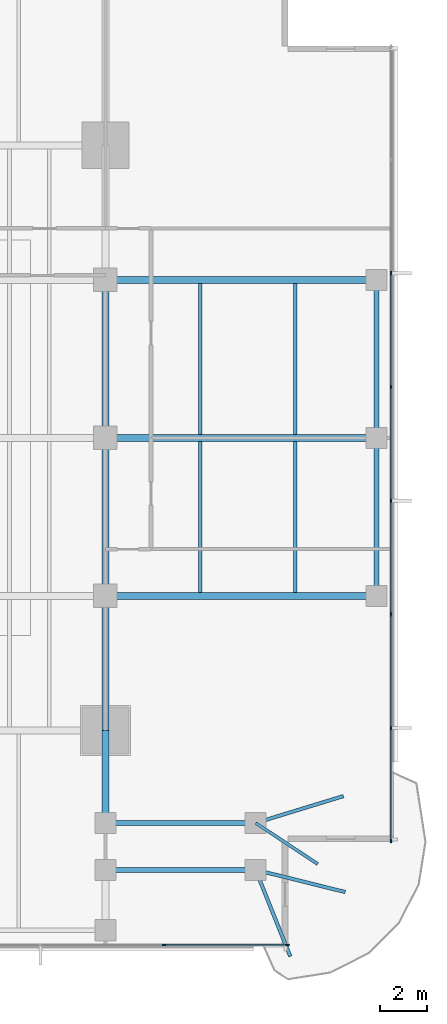
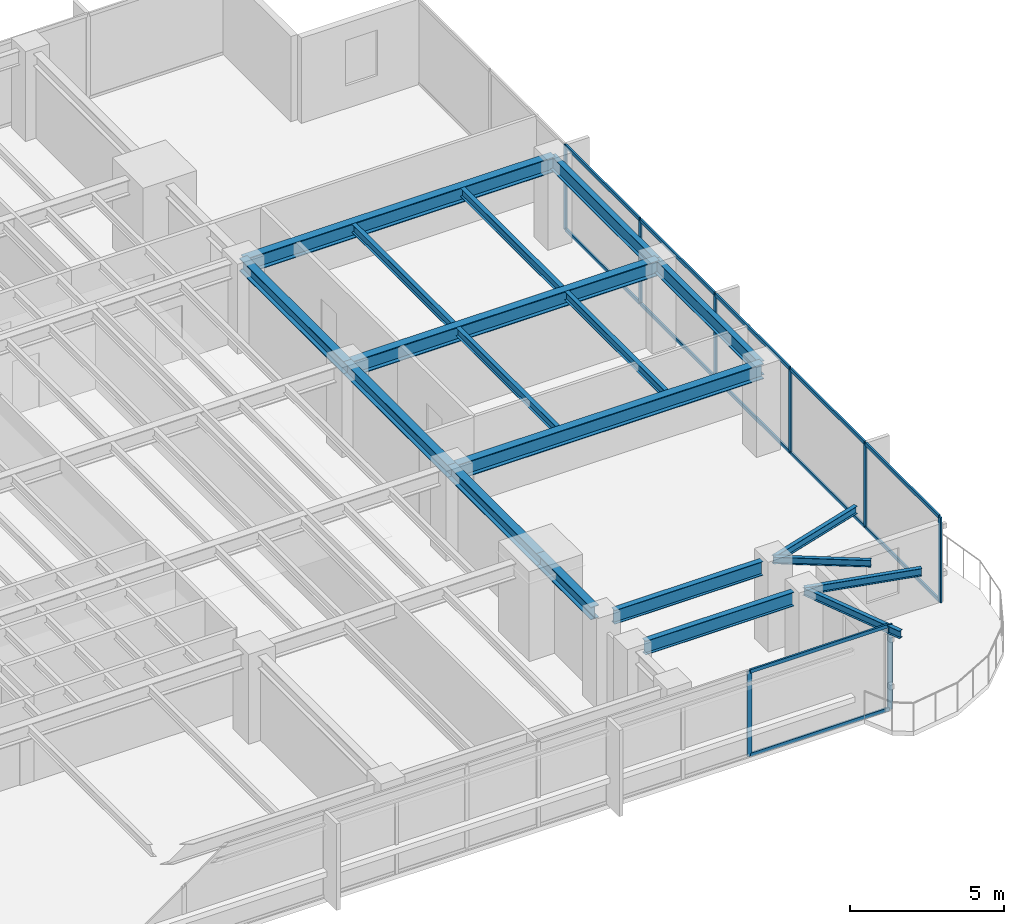
# One storey, part 4 of 14: 20 members, 19 beams, 2 elements without a shape of their own.
"""IFC4 building model written with IfcOpenShell, lengths in metres."""

from ifc_helpers import new_model, si_unit, direction, frame, origin, origin_2d, place, context, subcontext, project, spatial, rectangle, i_section, extrude, material, layer, layer_set, material_profile, profile_set, type_object, element, aggregate, save


model = new_model("IFC4")

# Units and contexts
model_context = context("Model", 3, precision=1e-05, world=origin(), true_north=direction((0.0, 1.0)))
body_context = subcontext(model_context, "Body", "Model", "MODEL_VIEW")
ifc_project = project(units=[si_unit("LENGTHUNIT", "METRE"), si_unit("AREAUNIT", "SQUARE_METRE"), si_unit("VOLUMEUNIT", "CUBIC_METRE"), si_unit("PLANEANGLEUNIT", "RADIAN"), si_unit("MASSUNIT", "GRAM", prefix="KILO")], contexts=[model_context])

# Site, building, storey
site_placement = place(None, origin())
site = spatial("IfcSite", under=ifc_project, at=site_placement, CompositionType="ELEMENT")
building_placement = place(site_placement, origin())
building = spatial("IfcBuilding", under=site, at=building_placement, Name="Kinhvarn Gate Tower", CompositionType="ELEMENT")
storey_placement = place(building_placement, frame((0.0, 0.0, 116.449951171875)))
storey = spatial("IfcBuildingStorey", under=building, at=storey_placement, Name="L30", CompositionType="ELEMENT", Elevation=116.449951171875)

# Curtain wall, members
ifc_material_1 = material(Name="Anodised aluminium AW-6063", Category="aluminium")
ifc_layer = layer(ifc_material_1, 0.179931640625)
ifc_layer_set = layer_set([ifc_layer], Name="Anodised aluminium AW-6063")
curtain_wall_type = type_object("IfcCurtainWallType", Name="CW-SYS-3", PredefinedType="NOTDEFINED", material=ifc_layer_set)
curtain_wall_1_placement = place(storey_placement, origin())
curtain_wall_1 = element("IfcCurtainWall", 1, at=curtain_wall_1_placement, inside=storey, type_object=curtain_wall_type, Name="Curtain Wall CW3 (L30)", PredefinedType="NOTDEFINED")
ifc_material_profile_1 = material_profile(ifc_material_1, rectangle(XDim=0.06494140625, YDim=0.159912109375, at=origin_2d()), Name="ALU 65x160")
ifc_profile_set_1 = profile_set([ifc_material_profile_1], Name="Anodised aluminium AW-6063")
member_type_1 = type_object("IfcMemberType", Name="CW-MUL-160", PredefinedType="MULLION", material=ifc_profile_set_1)
member_1_placement = place(storey_placement, frame((40.71435546875, 3.590087890625, 0.0), z_axis=(0.0, 0.0, 1.0), x_axis=(0.0, 1.0, 0.0)))
member_1 = element("IfcMember", 2, at=member_1_placement, type_object=member_type_1, Name="CW3 mullion 7", PredefinedType="MULLION", context=body_context, shape_type="SweptSolid", body=[
    extrude(rectangle(XDim=0.06494140625, YDim=0.159912109375, at=origin_2d()), origin(), (0.0, 0.0, 1.0), 3.3701171875),
])
member_2_placement = place(storey_placement, frame((45.967529296875, 3.590087890625, 0.0), z_axis=(0.0, 0.0, 1.0), x_axis=(0.0, 1.0, 0.0)))
member_2 = element("IfcMember", 3, at=member_2_placement, type_object=member_type_1, Name="CW3 mullion 8", PredefinedType="MULLION", context=body_context, shape_type="SweptSolid", body=[
    extrude(rectangle(XDim=0.06494140625, YDim=0.159912109375, at=origin_2d()), origin(), (0.0, 0.0, 1.0), 3.3701171875),
])

curtain_wall_2_placement = place(storey_placement, origin())
curtain_wall_2 = element("IfcCurtainWall", 4, at=curtain_wall_2_placement, inside=storey, type_object=curtain_wall_type, Name="Curtain Wall CW3 (L30)", PredefinedType="NOTDEFINED")
member_3_placement = place(storey_placement, frame((50.409912109375, 8.032470703125, 0.0), z_axis=(0.0, 0.0, 1.0), x_axis=(-1.0, 0.0, 0.0)))
member_3 = element("IfcMember", 5, at=member_3_placement, type_object=member_type_1, Name="CW3 mullion 1", PredefinedType="MULLION", context=body_context, shape_type="SweptSolid", body=[
    extrude(rectangle(XDim=0.06494140625, YDim=0.159912109375, at=origin_2d()), origin(), (0.0, 0.0, 1.0), 3.3701171875),
])
member_4_placement = place(storey_placement, frame((50.409912109375, 12.857177734375, 0.0), z_axis=(0.0, 0.0, 1.0), x_axis=(-1.0, 0.0, 0.0)))
member_4 = element("IfcMember", 6, at=member_4_placement, type_object=member_type_1, Name="CW3 mullion 2", PredefinedType="MULLION", context=body_context, shape_type="SweptSolid", body=[
    extrude(rectangle(XDim=0.06494140625, YDim=0.159912109375, at=origin_2d()), origin(), (0.0, 0.0, 1.0), 3.3701171875),
])
member_5_placement = place(storey_placement, frame((50.409912109375, 17.71435546875, 0.0), z_axis=(0.0, 0.0, 1.0), x_axis=(-1.0, 0.0, 0.0)))
member_5 = element("IfcMember", 7, at=member_5_placement, type_object=member_type_1, Name="CW3 mullion 3", PredefinedType="MULLION", context=body_context, shape_type="SweptSolid", body=[
    extrude(rectangle(XDim=0.06494140625, YDim=0.159912109375, at=origin_2d()), origin(), (0.0, 0.0, 1.0), 3.3701171875),
])
member_6_placement = place(storey_placement, frame((50.409912109375, 22.571533203125, 0.0), z_axis=(0.0, 0.0, 1.0), x_axis=(-1.0, 0.0, 0.0)))
member_6 = element("IfcMember", 8, at=member_6_placement, type_object=member_type_1, Name="CW3 mullion 4", PredefinedType="MULLION", context=body_context, shape_type="SweptSolid", body=[
    extrude(rectangle(XDim=0.06494140625, YDim=0.159912109375, at=origin_2d()), origin(), (0.0, 0.0, 1.0), 3.3701171875),
])
member_7_placement = place(storey_placement, frame((50.409912109375, 27.428466796875, 0.0), z_axis=(0.0, 0.0, 1.0), x_axis=(-1.0, 0.0, 0.0)))
member_7 = element("IfcMember", 9, at=member_7_placement, type_object=member_type_1, Name="CW3 mullion 5", PredefinedType="MULLION", context=body_context, shape_type="SweptSolid", body=[
    extrude(rectangle(XDim=0.06494140625, YDim=0.159912109375, at=origin_2d()), origin(), (0.0, 0.0, 1.0), 3.3701171875),
])
member_8_placement = place(storey_placement, frame((50.409912109375, 32.28564453125, 0.0), z_axis=(0.0, 0.0, 1.0), x_axis=(-1.0, 0.0, 0.0)))
member_8 = element("IfcMember", 10, at=member_8_placement, type_object=member_type_1, Name="CW3 mullion 6", PredefinedType="MULLION", context=body_context, shape_type="SweptSolid", body=[
    extrude(rectangle(XDim=0.06494140625, YDim=0.159912109375, at=origin_2d()), origin(), (0.0, 0.0, 1.0), 3.3701171875),
])

# Member
ifc_material_profile_2 = material_profile(ifc_material_1, rectangle(XDim=0.070068359375, YDim=0.139892578125, at=origin_2d()), Name="ALU 70x140")
ifc_profile_set_2 = profile_set([ifc_material_profile_2], Name="Anodised aluminium AW-6063")
member_type_2 = type_object("IfcMemberType", Name="CW-TRN-140", PredefinedType="USERDEFINED", material=ifc_profile_set_2)
member_9_placement = place(storey_placement, frame((40.746826171875, 3.590087890625, 0.03515625), z_axis=(1.0, 0.0, 0.0), x_axis=(0.0, 1.0, 0.0)))
member_9 = element("IfcMember", 11, at=member_9_placement, type_object=member_type_2, Name="CW3 transom 7.1", ObjectType="TRANSOM", PredefinedType="USERDEFINED", context=body_context, shape_type="SweptSolid", body=[
    extrude(rectangle(XDim=0.070068359375, YDim=0.139892578125, at=origin_2d()), origin(), (0.0, 0.0, 1.0), 5.188232421875),
])

member_10_placement = place(storey_placement, frame((40.746826171875, 3.590087890625, 3.3349609375), z_axis=(1.0, 0.0, 0.0), x_axis=(0.0, 1.0, 0.0)))
member_10 = element("IfcMember", 12, at=member_10_placement, type_object=member_type_2, Name="CW3 transom 7.2", ObjectType="TRANSOM", PredefinedType="USERDEFINED", context=body_context, shape_type="SweptSolid", body=[
    extrude(rectangle(XDim=0.070068359375, YDim=0.139892578125, at=origin_2d()), origin(), (0.0, 0.0, 1.0), 5.188232421875),
])

aggregate(curtain_wall_1, [member_1, member_2, member_9, member_10])

member_11_placement = place(storey_placement, frame((50.409912109375, 8.06494140625, 0.03515625), z_axis=(0.0, 1.0, 0.0), x_axis=(-1.0, 0.0, 0.0)))
member_11 = element("IfcMember", 13, at=member_11_placement, type_object=member_type_2, Name="CW3 transom 1.1", ObjectType="TRANSOM", PredefinedType="USERDEFINED", context=body_context, shape_type="SweptSolid", body=[
    extrude(rectangle(XDim=0.070068359375, YDim=0.139892578125, at=origin_2d()), origin(), (0.0, 0.0, 1.0), 4.759765625),
])

member_12_placement = place(storey_placement, frame((50.409912109375, 8.06494140625, 3.3349609375), z_axis=(0.0, 1.0, 0.0), x_axis=(-1.0, 0.0, 0.0)))
member_12 = element("IfcMember", 14, at=member_12_placement, type_object=member_type_2, Name="CW3 transom 1.2", ObjectType="TRANSOM", PredefinedType="USERDEFINED", context=body_context, shape_type="SweptSolid", body=[
    extrude(rectangle(XDim=0.070068359375, YDim=0.139892578125, at=origin_2d()), origin(), (0.0, 0.0, 1.0), 4.759765625),
])

member_13_placement = place(storey_placement, frame((50.409912109375, 12.8896484375, 0.03515625), z_axis=(0.0, 1.0, 0.0), x_axis=(-1.0, 0.0, 0.0)))
member_13 = element("IfcMember", 15, at=member_13_placement, type_object=member_type_2, Name="CW3 transom 2.1", ObjectType="TRANSOM", PredefinedType="USERDEFINED", context=body_context, shape_type="SweptSolid", body=[
    extrude(rectangle(XDim=0.070068359375, YDim=0.139892578125, at=origin_2d()), origin(), (0.0, 0.0, 1.0), 4.792236328125),
])

member_14_placement = place(storey_placement, frame((50.409912109375, 12.8896484375, 3.3349609375), z_axis=(0.0, 1.0, 0.0), x_axis=(-1.0, 0.0, 0.0)))
member_14 = element("IfcMember", 16, at=member_14_placement, type_object=member_type_2, Name="CW3 transom 2.2", ObjectType="TRANSOM", PredefinedType="USERDEFINED", context=body_context, shape_type="SweptSolid", body=[
    extrude(rectangle(XDim=0.070068359375, YDim=0.139892578125, at=origin_2d()), origin(), (0.0, 0.0, 1.0), 4.792236328125),
])

member_15_placement = place(storey_placement, frame((50.409912109375, 17.746826171875, 0.03515625), z_axis=(0.0, 1.0, 0.0), x_axis=(-1.0, 0.0, 0.0)))
member_15 = element("IfcMember", 17, at=member_15_placement, type_object=member_type_2, Name="CW3 transom 3.1", ObjectType="TRANSOM", PredefinedType="USERDEFINED", context=body_context, shape_type="SweptSolid", body=[
    extrude(rectangle(XDim=0.070068359375, YDim=0.139892578125, at=origin_2d()), origin(), (0.0, 0.0, 1.0), 4.7919921875),
])

member_16_placement = place(storey_placement, frame((50.409912109375, 17.746826171875, 3.3349609375), z_axis=(0.0, 1.0, 0.0), x_axis=(-1.0, 0.0, 0.0)))
member_16 = element("IfcMember", 18, at=member_16_placement, type_object=member_type_2, Name="CW3 transom 3.2", ObjectType="TRANSOM", PredefinedType="USERDEFINED", context=body_context, shape_type="SweptSolid", body=[
    extrude(rectangle(XDim=0.070068359375, YDim=0.139892578125, at=origin_2d()), origin(), (0.0, 0.0, 1.0), 4.7919921875),
])

member_17_placement = place(storey_placement, frame((50.409912109375, 22.60400390625, 0.03515625), z_axis=(0.0, 1.0, 0.0), x_axis=(-1.0, 0.0, 0.0)))
member_17 = element("IfcMember", 19, at=member_17_placement, type_object=member_type_2, Name="CW3 transom 4.1", ObjectType="TRANSOM", PredefinedType="USERDEFINED", context=body_context, shape_type="SweptSolid", body=[
    extrude(rectangle(XDim=0.070068359375, YDim=0.139892578125, at=origin_2d()), origin(), (0.0, 0.0, 1.0), 4.7919921875),
])

member_18_placement = place(storey_placement, frame((50.409912109375, 22.60400390625, 3.3349609375), z_axis=(0.0, 1.0, 0.0), x_axis=(-1.0, 0.0, 0.0)))
member_18 = element("IfcMember", 20, at=member_18_placement, type_object=member_type_2, Name="CW3 transom 4.2", ObjectType="TRANSOM", PredefinedType="USERDEFINED", context=body_context, shape_type="SweptSolid", body=[
    extrude(rectangle(XDim=0.070068359375, YDim=0.139892578125, at=origin_2d()), origin(), (0.0, 0.0, 1.0), 4.7919921875),
])

member_19_placement = place(storey_placement, frame((50.409912109375, 27.461181640625, 0.03515625), z_axis=(0.0, 1.0, 0.0), x_axis=(-1.0, 0.0, 0.0)))
member_19 = element("IfcMember", 21, at=member_19_placement, type_object=member_type_2, Name="CW3 transom 5.1", ObjectType="TRANSOM", PredefinedType="USERDEFINED", context=body_context, shape_type="SweptSolid", body=[
    extrude(rectangle(XDim=0.070068359375, YDim=0.139892578125, at=origin_2d()), origin(), (0.0, 0.0, 1.0), 4.7919921875),
])

member_20_placement = place(storey_placement, frame((50.409912109375, 27.461181640625, 3.3349609375), z_axis=(0.0, 1.0, 0.0), x_axis=(-1.0, 0.0, 0.0)))
member_20 = element("IfcMember", 22, at=member_20_placement, type_object=member_type_2, Name="CW3 transom 5.2", ObjectType="TRANSOM", PredefinedType="USERDEFINED", context=body_context, shape_type="SweptSolid", body=[
    extrude(rectangle(XDim=0.070068359375, YDim=0.139892578125, at=origin_2d()), origin(), (0.0, 0.0, 1.0), 4.7919921875),
])

aggregate(curtain_wall_2, [member_3, member_4, member_5, member_6, member_7, member_8, member_11, member_12, member_13, member_14, member_15, member_16, member_17, member_18, member_19, member_20])

# Beams
ifc_material_2 = material(Name="Steel S355", Category="steel")
ifc_material_profile_3 = material_profile(ifc_material_2, i_section(OverallWidth=0.300048828125, OverallDepth=0.5, WebThickness=0.014404296875, FlangeThickness=0.028076171875, at=origin_2d()), Name="HEB 500")
ifc_profile_set_3 = profile_set([ifc_material_profile_3], Name="Steel S355")
beam_type_1 = type_object("IfcBeamType", Name="STL-HEB500", PredefinedType="BEAM", material=ifc_profile_set_3)
beam_1_placement = place(storey_placement, frame((38.199951171875, 9.235107421875, 3.1201171875), z_axis=(0.0, 1.0, 0.0), x_axis=(-1.0, 0.0, 0.0)))
element("IfcBeam", 23, at=beam_1_placement, inside=storey, type_object=beam_type_1, Name="Floor Beam PG-14 (L30 MCE-S-A2)", PredefinedType="BEAM", context=body_context, shape_type="SweptSolid", body=[
    extrude(i_section(OverallWidth=0.300048828125, OverallDepth=0.5, WebThickness=0.014404296875, FlangeThickness=0.028076171875, at=origin_2d()), origin(), (0.0, 0.0, 1.0), 3.514892578125),
])
beam_2_placement = place(storey_placement, frame((38.199951171875, 12.75, 3.1201171875), z_axis=(0.0, 1.0, 0.0), x_axis=(-1.0, 0.0, 0.0)))
element("IfcBeam", 24, at=beam_2_placement, inside=storey, type_object=beam_type_1, Name="Floor Beam PG-14 (L30 MG-E-12)", PredefinedType="BEAM", context=body_context, shape_type="SweptSolid", body=[
    extrude(i_section(OverallWidth=0.300048828125, OverallDepth=0.5, WebThickness=0.014404296875, FlangeThickness=0.028076171875, at=origin_2d()), origin(), (0.0, 0.0, 1.0), 5.75),
])
for number, where, z_axis, x_axis, name in (
    (25, (38.199951171875, 18.5, 3.1201171875), (0.0, 1.0, 0.0), (-1.0, 0.0, 0.0), "Floor Beam PG-14 (L30 MG-E-18)"),
    (26, (38.199951171875, 25.25, 3.1201171875), (0.0, 1.0, 0.0), (-1.0, 0.0, 0.0), "Floor Beam PG-14 (L30 MG-E-25)"),
):
    element("IfcBeam", number, at=place(storey_placement, frame(where, z_axis=z_axis, x_axis=x_axis)), inside=storey, type_object=beam_type_1, Name=name, PredefinedType="BEAM", context=body_context, shape_type="SweptSolid", body=[
        extrude(i_section(OverallWidth=0.300048828125, OverallDepth=0.5, WebThickness=0.014404296875, FlangeThickness=0.028076171875, at=origin_2d()), origin(), (0.0, 0.0, 1.0), 6.75),
    ])
ifc_material_profile_4 = material_profile(ifc_material_2, i_section(OverallWidth=0.300048828125, OverallDepth=0.60009765625, WebThickness=0.015380859375, FlangeThickness=0.030029296875, at=origin_2d()), Name="HEB 600")
ifc_profile_set_4 = profile_set([ifc_material_profile_4], Name="Steel S355")
beam_type_2 = type_object("IfcBeamType", Name="STL-HEB600", PredefinedType="BEAM", material=ifc_profile_set_4)
for number, where, z_axis, x_axis, name in (
    (27, (38.199951171875, 18.5, 3.070068359375), (1.0, 0.0, 0.0), (0.0, 1.0, 0.0), "Floor Beam PG-16 (L30 EW2-Y18)"),
    (28, (38.199951171875, 25.25, 3.070068359375), (1.0, 0.0, 0.0), (0.0, 1.0, 0.0), "Floor Beam PG-16 (L30 EW2-Y25)"),
    (29, (38.199951171875, 32.0, 3.070068359375), (1.0, 0.0, 0.0), (0.0, 1.0, 0.0), "Floor Beam PG-16 (L30 EW2-Y32)"),
):
    element("IfcBeam", number, at=place(storey_placement, frame(where, z_axis=z_axis, x_axis=x_axis)), inside=storey, type_object=beam_type_2, Name=name, PredefinedType="BEAM", context=body_context, shape_type="SweptSolid", body=[
        extrude(i_section(OverallWidth=0.300048828125, OverallDepth=0.60009765625, WebThickness=0.015380859375, FlangeThickness=0.030029296875, at=origin_2d()), origin(), (0.0, 0.0, 1.0), 11.580078125),
    ])
ifc_material_profile_5 = material_profile(ifc_material_2, i_section(OverallWidth=0.135009765625, OverallDepth=0.27001953125, WebThickness=0.006591796875, FlangeThickness=0.01025390625, at=origin_2d()), Name="IPE 270")
ifc_profile_set_5 = profile_set([ifc_material_profile_5], Name="Steel S355")
beam_type_3 = type_object("IfcBeamType", Name="STL-IPE270", PredefinedType="JOIST", material=ifc_profile_set_5)
beam_3_placement = place(storey_placement, frame((44.6201171875, 8.800048828125, 3.235107421875), z_axis=(0.834455271211, -0.5510756757, 0.0), x_axis=(0.5510756757, 0.834455271211, 0.0)))
element("IfcBeam", 30, at=beam_3_placement, inside=storey, type_object=beam_type_3, Name="Floor Joist SB-01 (L30 BAL-B3-L31)", PredefinedType="JOIST", context=body_context, shape_type="SweptSolid", body=[
    extrude(i_section(OverallWidth=0.135009765625, OverallDepth=0.27001953125, WebThickness=0.006591796875, FlangeThickness=0.01025390625, at=origin_2d()), origin(), (0.0, 0.0, 1.0), 3.175537109375),
])
ifc_material_profile_6 = material_profile(ifc_material_2, i_section(OverallWidth=0.14990234375, OverallDepth=0.300048828125, WebThickness=0.007080078125, FlangeThickness=0.0107421875, at=origin_2d()), Name="IPE 300")
ifc_profile_set_6 = profile_set([ifc_material_profile_6], Name="Steel S355")
beam_type_4 = type_object("IfcBeamType", Name="STL-IPE300", PredefinedType="JOIST", material=ifc_profile_set_6)
beam_4_placement = place(storey_placement, frame((44.6201171875, 6.800048828125, 3.219970703125), z_axis=(0.97058851083, -0.240744558911, 0.0), x_axis=(0.240744558911, 0.97058851083, 0.0)))
element("IfcBeam", 31, at=beam_4_placement, inside=storey, type_object=beam_type_4, Name="Floor Joist SB-02 (L30 BAL-B1-L31)", PredefinedType="JOIST", context=body_context, shape_type="SweptSolid", body=[
    extrude(i_section(OverallWidth=0.14990234375, OverallDepth=0.300048828125, WebThickness=0.007080078125, FlangeThickness=0.0107421875, at=origin_2d()), origin(), (0.0, 0.0, 1.0), 3.94580078125),
])
beam_5_placement = place(storey_placement, frame((44.6201171875, 6.800048828125, 3.219970703125), z_axis=(0.371390676354, -0.928476690885, 0.0), x_axis=(0.928476690885, 0.371390676354, 0.0)))
element("IfcBeam", 32, at=beam_5_placement, inside=storey, type_object=beam_type_4, Name="Floor Joist SB-02 (L30 BAL-B2-L31)", PredefinedType="JOIST", context=body_context, shape_type="SweptSolid", body=[
    extrude(i_section(OverallWidth=0.14990234375, OverallDepth=0.300048828125, WebThickness=0.007080078125, FlangeThickness=0.0107421875, at=origin_2d()), origin(), (0.0, 0.0, 1.0), 3.98486328125),
])
beam_6_placement = place(storey_placement, frame((44.6201171875, 8.800048828125, 3.219970703125), z_axis=(0.95606118681, 0.293167199862, 0.0), x_axis=(-0.293167199862, 0.95606118681, 0.0)))
element("IfcBeam", 33, at=beam_6_placement, inside=storey, type_object=beam_type_4, Name="Floor Joist SB-02 (L30 BAL-B5-L31)", PredefinedType="JOIST", context=body_context, shape_type="SweptSolid", body=[
    extrude(i_section(OverallWidth=0.14990234375, OverallDepth=0.300048828125, WebThickness=0.007080078125, FlangeThickness=0.0107421875, at=origin_2d()), origin(), (0.0, 0.0, 1.0), 3.92236328125),
])
ifc_material_profile_7 = material_profile(ifc_material_2, i_section(OverallWidth=0.159912109375, OverallDepth=0.330078125, WebThickness=0.007568359375, FlangeThickness=0.011474609375, at=origin_2d()), Name="IPE 330")
ifc_profile_set_7 = profile_set([ifc_material_profile_7], Name="Steel S355")
beam_type_5 = type_object("IfcBeamType", Name="STL-IPE330", PredefinedType="JOIST", material=ifc_profile_set_7)
for number, where, z_axis, x_axis, name in (
    (34, (42.25, 18.64990234375, 3.205078125), (0.0, 1.0, 0.0), (-1.0, 0.0, 0.0), "Floor Joist SB-03 (L30 JC-X422-1)"),
    (35, (42.25, 25.39990234375, 3.205078125), (0.0, 1.0, 0.0), (-1.0, 0.0, 0.0), "Floor Joist SB-03 (L30 JC-X422-2)"),
    (36, (46.31005859375, 18.64990234375, 3.205078125), (0.0, 1.0, 0.0), (-1.0, 0.0, 0.0), "Floor Joist SB-03 (L30 JC-X463-1)"),
    (37, (46.31005859375, 25.39990234375, 3.205078125), (0.0, 1.0, 0.0), (-1.0, 0.0, 0.0), "Floor Joist SB-03 (L30 JC-X463-2)"),
):
    element("IfcBeam", number, at=place(storey_placement, frame(where, z_axis=z_axis, x_axis=x_axis)), inside=storey, type_object=beam_type_5, Name=name, PredefinedType="JOIST", context=body_context, shape_type="SweptSolid", body=[
        extrude(i_section(OverallWidth=0.159912109375, OverallDepth=0.330078125, WebThickness=0.007568359375, FlangeThickness=0.011474609375, at=origin_2d()), origin(), (0.0, 0.0, 1.0), 6.4501953125),
    ])
ifc_material_profile_8 = material_profile(ifc_material_2, i_section(OverallWidth=0.2099609375, OverallDepth=0.550048828125, WebThickness=0.010986328125, FlangeThickness=0.01708984375, at=origin_2d()), Name="IPE 550")
ifc_profile_set_8 = profile_set([ifc_material_profile_8], Name="Steel S355")
beam_type_6 = type_object("IfcBeamType", Name="STL-IPE550", PredefinedType="SPANDREL", material=ifc_profile_set_8)
for number, where, z_axis, x_axis, name in (
    (38, (38.635009765625, 8.800048828125, 3.094970703125), (1.0, 0.0, 0.0), (0.0, 1.0, 0.0), "Floor Spandrel SB-08 (L30 SP-SE2)"),
    (39, (38.635009765625, 6.800048828125, 3.094970703125), (1.0, 0.0, 0.0), (0.0, 1.0, 0.0), "Floor Spandrel SB-08 (L30 SP-SE2-S)"),
):
    element("IfcBeam", number, at=place(storey_placement, frame(where, z_axis=z_axis, x_axis=x_axis)), inside=storey, type_object=beam_type_6, Name=name, PredefinedType="SPANDREL", context=body_context, shape_type="SweptSolid", body=[
        extrude(i_section(OverallWidth=0.2099609375, OverallDepth=0.550048828125, WebThickness=0.010986328125, FlangeThickness=0.01708984375, at=origin_2d()), origin(), (0.0, 0.0, 1.0), 5.550048828125),
    ])
for number, where, z_axis, x_axis, name in (
    (40, (49.780029296875, 18.5, 3.094970703125), (0.0, 1.0, 0.0), (-1.0, 0.0, 0.0), "Floor Spandrel SB-08 (L30 SP-E2)"),
    (41, (49.780029296875, 25.25, 3.094970703125), (0.0, 1.0, 0.0), (-1.0, 0.0, 0.0), "Floor Spandrel SB-08 (L30 SP-E3)"),
):
    element("IfcBeam", number, at=place(storey_placement, frame(where, z_axis=z_axis, x_axis=x_axis)), inside=storey, type_object=beam_type_6, Name=name, PredefinedType="SPANDREL", context=body_context, shape_type="SweptSolid", body=[
        extrude(i_section(OverallWidth=0.2099609375, OverallDepth=0.550048828125, WebThickness=0.010986328125, FlangeThickness=0.01708984375, at=origin_2d()), origin(), (0.0, 0.0, 1.0), 6.75),
    ])

save(model, "model.ifc")
